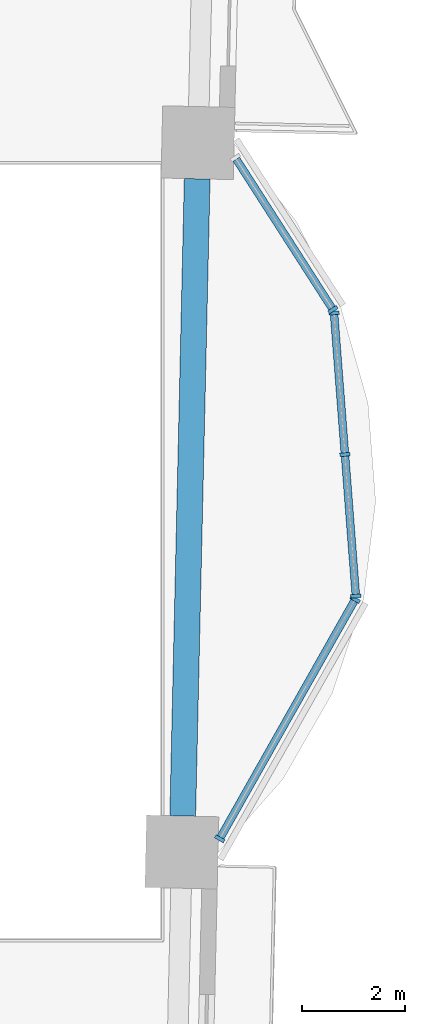
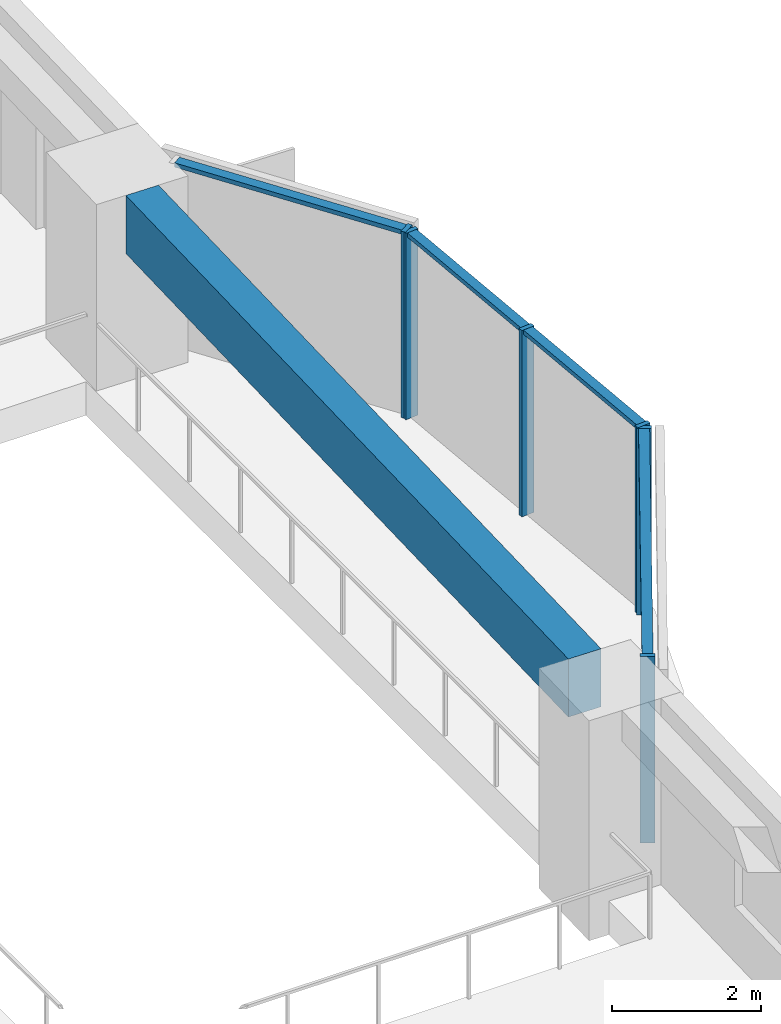
# One storey, part 2 of 16: 10 members, 1 beam, 3 elements without a shape of their own.
"""IFC4 building model written with IfcOpenShell, lengths in metres."""

from ifc_helpers import new_model, si_unit, direction, frame, origin, origin_2d, place, context, subcontext, project, spatial, rectangle, extrude, material, material_profile, profile_set, type_object, element, aggregate, save


model = new_model("IFC4")

# Units and contexts
model_context = context("Model", 3, precision=1e-05, world=origin(), true_north=direction((0.0, 1.0)))
body_context = subcontext(model_context, "Body", "Model", "MODEL_VIEW")
ifc_project = project(units=[si_unit("LENGTHUNIT", "METRE"), si_unit("AREAUNIT", "SQUARE_METRE"), si_unit("VOLUMEUNIT", "CUBIC_METRE"), si_unit("PLANEANGLEUNIT", "RADIAN"), si_unit("MASSUNIT", "GRAM", prefix="KILO")], contexts=[model_context])

# Site, building, storey
site_placement = place(None, origin())
site = spatial("IfcSite", under=ifc_project, at=site_placement, CompositionType="ELEMENT")
building_placement = place(site_placement, origin())
building = spatial("IfcBuilding", under=site, at=building_placement, Name="Mangrove Gate Tower", CompositionType="ELEMENT")
storey_placement = place(building_placement, frame((0.0, 0.0, 105.5)))
storey = spatial("IfcBuildingStorey", under=building, at=storey_placement, Name="L26", CompositionType="ELEMENT", Elevation=105.5)

# Curtain wall, members
ifc_material_1 = material(Name="Aluminium and glass curtain wall", Category="aluminium")
curtain_wall_type = type_object("IfcCurtainWallType", Name="Atrium garden-court glazing wall", PredefinedType="NOTDEFINED", material=ifc_material_1)
curtain_wall_1_placement = place(storey_placement, origin())
curtain_wall_1 = element("IfcCurtainWall", 1, at=curtain_wall_1_placement, inside=storey, type_object=curtain_wall_type, Name="Atrium garden-court glazing E1f1", PredefinedType="NOTDEFINED")
ifc_material_2 = material(Name="Aluminium alloy 6063-T6", Category="aluminium")
ifc_material_profile_1 = material_profile(ifc_material_2, rectangle(XDim=0.070068359375, YDim=0.199951171875, at=origin_2d()))
ifc_profile_set_1 = profile_set([ifc_material_profile_1], Name="Aluminium alloy 6063-T6")
member_type_1 = type_object("IfcMemberType", Name="Atrium garden-court glazing mullion 70x200", PredefinedType="MULLION", material=ifc_profile_set_1)
member_1_placement = place(storey_placement, frame((25.373779296875, -5.563232421875, 0.0), z_axis=(0.0, 0.0, 1.0), x_axis=(0.492584614745, 0.870264555935, 0.0)))
member_1 = element("IfcMember", 2, at=member_1_placement, type_object=member_type_1, Name="CWA mullion 1", PredefinedType="MULLION", context=body_context, shape_type="SweptSolid", body=[
    extrude(rectangle(XDim=0.070068359375, YDim=0.199951171875, at=origin_2d()), origin(), (0.0, 0.0, 1.0), 3.050048828125),
])
member_2_placement = place(storey_placement, frame((27.998291015625, -0.92626953125, 0.0), z_axis=(0.0, 0.0, 1.0), x_axis=(0.492584614745, 0.870264555935, 0.0)))
member_2 = element("IfcMember", 3, at=member_2_placement, type_object=member_type_1, Name="CWA mullion 2", PredefinedType="MULLION", context=body_context, shape_type="SweptSolid", body=[
    extrude(rectangle(XDim=0.070068359375, YDim=0.199951171875, at=origin_2d()), origin(), (0.0, 0.0, 1.0), 3.050048828125),
])

curtain_wall_2_placement = place(storey_placement, origin())
curtain_wall_2 = element("IfcCurtainWall", 4, at=curtain_wall_2_placement, inside=storey, type_object=curtain_wall_type, Name="Atrium garden-court glazing E1f2", PredefinedType="NOTDEFINED")
member_3_placement = place(storey_placement, frame((28.012939453125, -0.861083984375, 0.0), z_axis=(0.0, 0.0, 1.0), x_axis=(-0.077023348229, 0.997029289353, 0.0)))
member_3 = element("IfcMember", 5, at=member_3_placement, type_object=member_type_1, Name="CWA mullion 1", PredefinedType="MULLION", context=body_context, shape_type="SweptSolid", body=[
    extrude(rectangle(XDim=0.070068359375, YDim=0.199951171875, at=origin_2d()), origin(), (0.0, 0.0, 1.0), 3.050048828125),
])
member_4_placement = place(storey_placement, frame((27.801025390625, 1.882568359375, 0.0), z_axis=(0.0, 0.0, 1.0), x_axis=(-0.077023348229, 0.997029289353, 0.0)))
member_4 = element("IfcMember", 6, at=member_4_placement, type_object=member_type_1, Name="CWA mullion 2", PredefinedType="MULLION", context=body_context, shape_type="SweptSolid", body=[
    extrude(rectangle(XDim=0.070068359375, YDim=0.199951171875, at=origin_2d()), origin(), (0.0, 0.0, 1.0), 3.050048828125),
])
member_5_placement = place(storey_placement, frame((27.5888671875, 4.6259765625, 0.0), z_axis=(0.0, 0.0, 1.0), x_axis=(-0.077023348229, 0.997029289353, 0.0)))
member_5 = element("IfcMember", 7, at=member_5_placement, type_object=member_type_1, Name="CWA mullion 3", PredefinedType="MULLION", context=body_context, shape_type="SweptSolid", body=[
    extrude(rectangle(XDim=0.070068359375, YDim=0.199951171875, at=origin_2d()), origin(), (0.0, 0.0, 1.0), 3.050048828125),
])

# Curtain wall, member
curtain_wall_3_placement = place(storey_placement, origin())
curtain_wall_3 = element("IfcCurtainWall", 8, at=curtain_wall_3_placement, inside=storey, type_object=curtain_wall_type, Name="Atrium garden-court glazing E1f3", PredefinedType="NOTDEFINED")
member_6_placement = place(storey_placement, frame((27.5673828125, 4.6904296875, 0.0), z_axis=(0.0, 0.0, 1.0), x_axis=(-0.540510523896, 0.841337253162, 0.0)))
member_6 = element("IfcMember", 9, at=member_6_placement, type_object=member_type_1, Name="CWA mullion 1", PredefinedType="MULLION", context=body_context, shape_type="SweptSolid", body=[
    extrude(rectangle(XDim=0.070068359375, YDim=0.199951171875, at=origin_2d()), origin(), (0.0, 0.0, 1.0), 3.050048828125),
])

# Member
ifc_material_3 = material(Name="Aluminium alloy 6063-T6", Category="aluminium")
ifc_material_profile_2 = material_profile(ifc_material_3, rectangle(XDim=0.070068359375, YDim=0.14990234375, at=origin_2d()))
ifc_profile_set_2 = profile_set([ifc_material_profile_2], Name="Aluminium alloy 6063-T6")
member_type_2 = type_object("IfcMemberType", Name="Atrium garden-court glazing transom 70x150", PredefinedType="USERDEFINED", material=ifc_profile_set_2)
member_7_placement = place(storey_placement, frame((25.39111328125, -5.53271484375, 3.014892578125), z_axis=(0.492554428347, 0.870281641261, 0.0), x_axis=(0.0, 0.0, 1.0)))
member_7 = element("IfcMember", 10, at=member_7_placement, type_object=member_type_2, Name="CWA transom 1.2", ObjectType="TRANSOM", PredefinedType="USERDEFINED", context=body_context, shape_type="SweptSolid", body=[
    extrude(rectangle(XDim=0.070068359375, YDim=0.14990234375, at=origin_2d()), origin(), (0.0, 0.0, 1.0), 5.258056640625),
])

aggregate(curtain_wall_1, [member_1, member_2, member_7])

member_8_placement = place(storey_placement, frame((28.01025390625, -0.826171875, 3.014892578125), z_axis=(-0.07701672858, 0.997029800718, 0.0), x_axis=(0.0, 0.0, 1.0)))
member_8 = element("IfcMember", 11, at=member_8_placement, type_object=member_type_2, Name="CWA transom 1.2", ObjectType="TRANSOM", PredefinedType="USERDEFINED", context=body_context, shape_type="SweptSolid", body=[
    extrude(rectangle(XDim=0.070068359375, YDim=0.14990234375, at=origin_2d()), origin(), (0.0, 0.0, 1.0), 2.681884765625),
])

member_9_placement = place(storey_placement, frame((27.798095703125, 1.91748046875, 3.014892578125), z_axis=(-0.07701672858, 0.997029800718, 0.0), x_axis=(0.0, 0.0, 1.0)))
member_9 = element("IfcMember", 12, at=member_9_placement, type_object=member_type_2, Name="CWA transom 2.2", ObjectType="TRANSOM", PredefinedType="USERDEFINED", context=body_context, shape_type="SweptSolid", body=[
    extrude(rectangle(XDim=0.070068359375, YDim=0.14990234375, at=origin_2d()), origin(), (0.0, 0.0, 1.0), 2.681884765625),
])

aggregate(curtain_wall_2, [member_3, member_4, member_5, member_8, member_9])

member_10_placement = place(storey_placement, frame((27.54833984375, 4.719970703125, 3.014892578125), z_axis=(-0.540487632005, 0.841351959438, 0.0), x_axis=(0.0, 0.0, 1.0)))
member_10 = element("IfcMember", 13, at=member_10_placement, type_object=member_type_2, Name="CWA transom 1.2", ObjectType="TRANSOM", PredefinedType="USERDEFINED", context=body_context, shape_type="SweptSolid", body=[
    extrude(rectangle(XDim=0.070068359375, YDim=0.14990234375, at=origin_2d()), origin(), (0.0, 0.0, 1.0), 3.428466796875),
])

aggregate(curtain_wall_3, [member_6, member_10])

# Beam
ifc_material_4 = material(Name="Concrete C50/60", Category="concrete")
ifc_material_profile_3 = material_profile(ifc_material_4, rectangle(XDim=0.5, YDim=0.949951171875, at=origin_2d()))
ifc_profile_set_3 = profile_set([ifc_material_profile_3], Name="Concrete C50/60")
beam_type = type_object("IfcBeamType", Name="Edge beam RC 500x950 C50/60", PredefinedType="BEAM", material=ifc_profile_set_3)
beam_placement = place(storey_placement, frame((24.656982421875, -5.122314453125, 2.574951171875), z_axis=(0.022693116457, 0.999742478074, 0.0), x_axis=(-0.999742478074, 0.022693116457, 0.0)))
element("IfcBeam", 14, at=beam_placement, inside=storey, type_object=beam_type, Name="Edge beam L26 15", PredefinedType="BEAM", context=body_context, shape_type="SweptSolid", body=[
    extrude(rectangle(XDim=0.5, YDim=0.949951171875, at=origin_2d()), origin(), (0.0, 0.0, 1.0), 12.3505859375),
])

save(model, "model.ifc")
